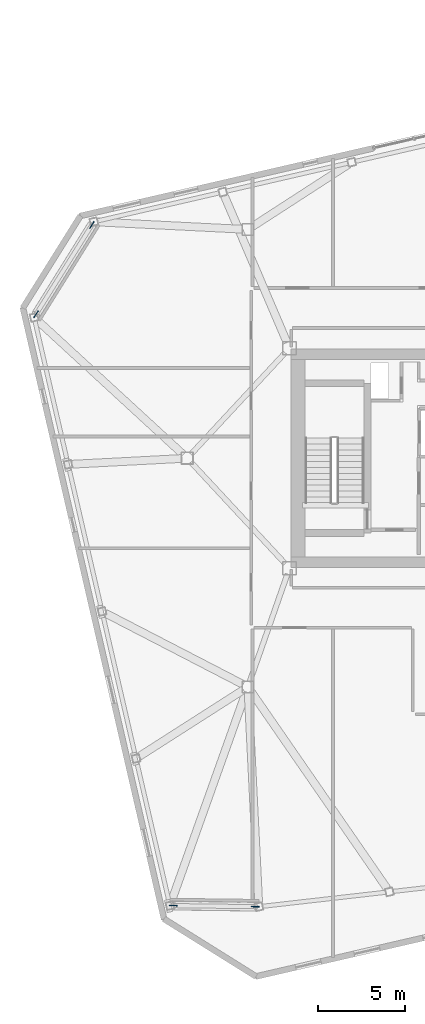
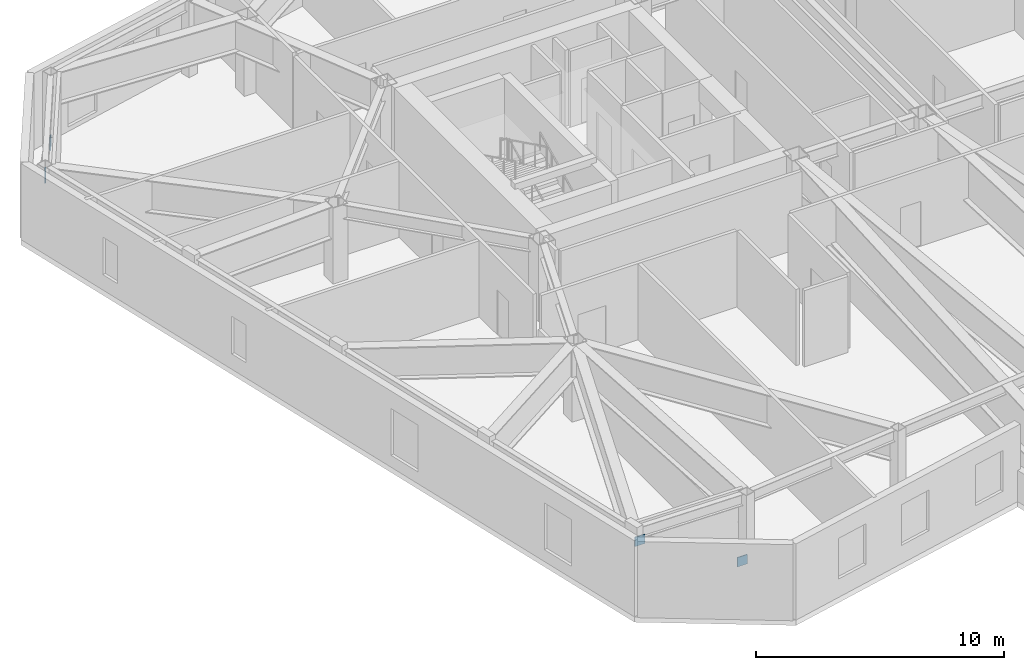
# One storey, part 21 of 23: 4 discrete accessories.
"""IFC4 building model written with IfcOpenShell, lengths in metres."""

from ifc_helpers import new_model, si_unit, direction, frame, origin, origin_2d, place, context, subcontext, project, spatial, rectangle, extrude, material, type_object, element, save


model = new_model("IFC4")

# Units and contexts
model_context = context("Model", 3, precision=1e-05, world=origin(), true_north=direction((0.0, 1.0)))
body_context = subcontext(model_context, "Body", "Model", "MODEL_VIEW")
ifc_project = project(units=[si_unit("LENGTHUNIT", "METRE"), si_unit("AREAUNIT", "SQUARE_METRE"), si_unit("VOLUMEUNIT", "CUBIC_METRE"), si_unit("PLANEANGLEUNIT", "RADIAN"), si_unit("MASSUNIT", "GRAM", prefix="KILO")], contexts=[model_context])

# Site, building, storey
site_placement = place(None, origin())
site = spatial("IfcSite", under=ifc_project, at=site_placement, CompositionType="ELEMENT")
building_placement = place(site_placement, origin())
building = spatial("IfcBuilding", under=site, at=building_placement, Name="Tavrogorsk Clinical Tower", CompositionType="ELEMENT")
storey_placement = place(building_placement, frame((0.0, 0.0, 277.0)))
storey = spatial("IfcBuildingStorey", under=building, at=storey_placement, Name="L64", CompositionType="ELEMENT", Elevation=277.0)

# Discrete accessories
ifc_material = material(Name="Structural steel S440", Category="steel")
discrete_accessory_type = type_object("IfcDiscreteAccessoryType", Name="GussetPlateBracket_25", PredefinedType="BRACKET", material=ifc_material)
for number, where, z_axis, x_axis, name in (
    (1, (-33.501708984375, 13.4638671875, 0.163330078125), (0.0, 0.0, 1.0), (-0.529919264233, -0.848048096156, 0.0), "L64 Brace Gusset Plate EXOCRN-L64-3-A"),
    (2, (-36.72265625, 8.30908203125, 2.81689453125), (0.0, 0.0, 1.0), (-0.529919264233, -0.848048096156, 0.0), "L64 Brace Gusset Plate EXOCRN-L64-3-B"),
    (3, (-24.07080078125, -25.883056640625, 0.182861328125), (0.0, 0.0, 1.0), (-0.999914327574, 0.013089595571, 0.0), "L64 Brace Gusset Plate EXOCRN-L64-4-A"),
    (4, (-28.794677734375, -25.821533203125, 2.797119140625), (0.0, 0.0, 1.0), (-0.999914327574, 0.013089595571, 0.0), "L64 Brace Gusset Plate EXOCRN-L64-4-B"),
):
    element("IfcDiscreteAccessory", number, at=place(storey_placement, frame(where, z_axis=z_axis, x_axis=x_axis)), inside=storey, type_object=discrete_accessory_type, Name=name, PredefinedType="BRACKET", context=body_context, shape_type="SweptSolid", body=[
        extrude(rectangle(XDim=0.4599609375, YDim=0.0400390625, at=origin_2d()), origin(), (0.0, 0.0, 1.0), 0.4599609375),
    ])

save(model, "model.ifc")
